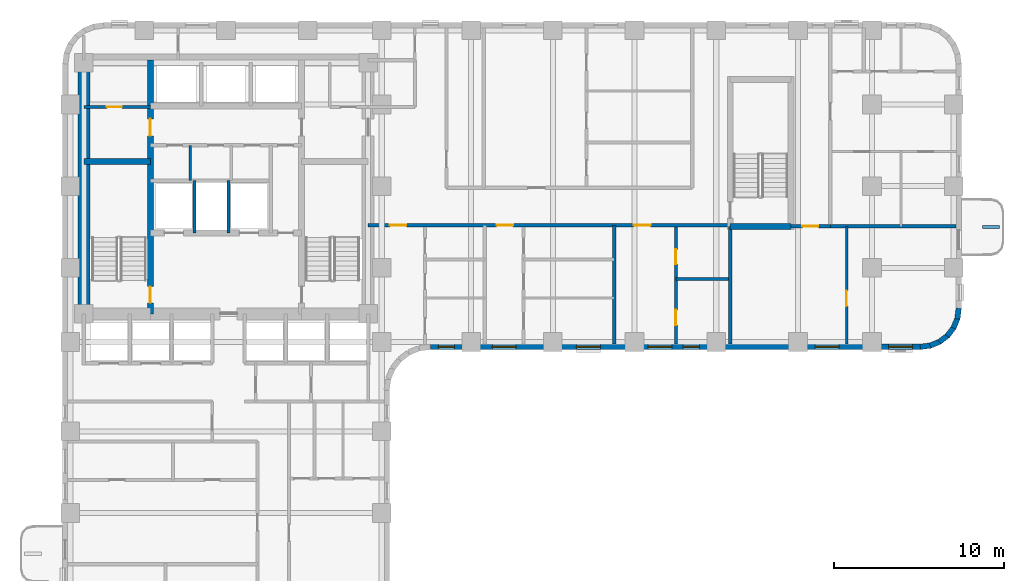
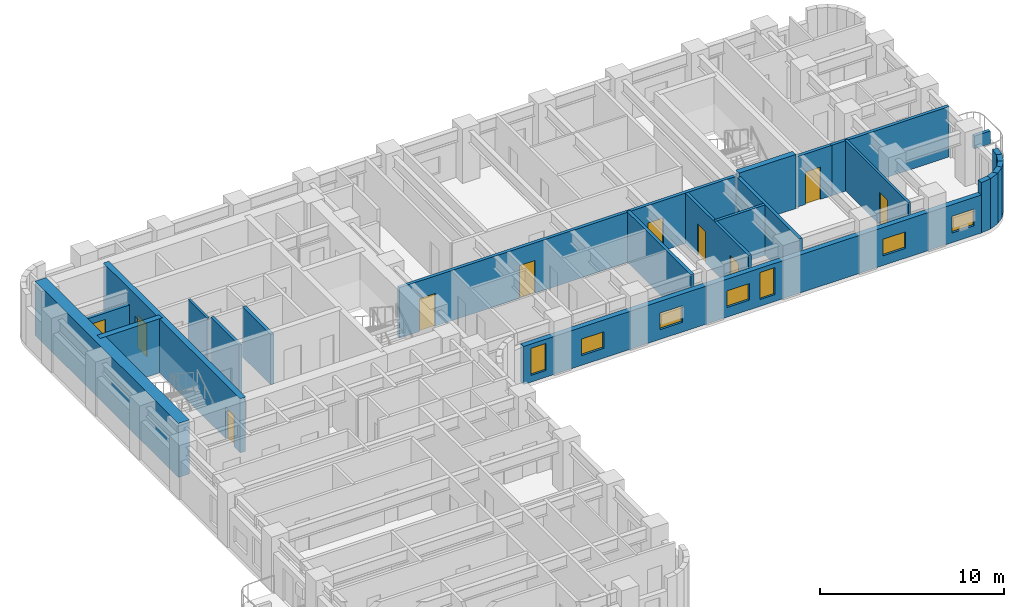
# One storey, part 5 of 11: 24 walls, 10 doors, 7 windows, 17 openings.
"""IFC4 building model written with IfcOpenShell, lengths in metres."""

from ifc_helpers import new_model, si_unit, direction, frame, frame_2d, origin, place, context, subcontext, project, spatial, rectangle, extrude, material, layer, layer_set, type_object, element, fill, save


model = new_model("IFC4")

# Units and contexts
model_context = context("Model", 3, precision=1e-05, world=origin(), true_north=direction((0.0, 1.0)))
body_context = subcontext(model_context, "Body", "Model", "MODEL_VIEW")
ifc_project = project(units=[si_unit("LENGTHUNIT", "METRE"), si_unit("AREAUNIT", "SQUARE_METRE"), si_unit("VOLUMEUNIT", "CUBIC_METRE"), si_unit("PLANEANGLEUNIT", "RADIAN"), si_unit("MASSUNIT", "GRAM", prefix="KILO")], contexts=[model_context])

# Site, building, storey
site_placement = place(None, origin())
site = spatial("IfcSite", under=ifc_project, at=site_placement, CompositionType="ELEMENT")
building_placement = place(site_placement, origin())
building = spatial("IfcBuilding", under=site, at=building_placement, Name="Orvandelia Arch Residences", CompositionType="ELEMENT")
storey_placement = place(building_placement, frame((0.0, 0.0, 50.199951171875)))
storey = spatial("IfcBuildingStorey", under=building, at=storey_placement, Name="L12", CompositionType="ELEMENT", Elevation=50.199951171875)

# Wall, openings, doors
ifc_material_1 = material(Name="Concrete C50/60", Category="concrete")
ifc_layer_1 = layer(ifc_material_1, 0.35009765625, Name="Concrete C50/60", Category="concrete")
ifc_layer_set_1 = layer_set([ifc_layer_1], Name="Concrete C50/60")
wall_type_1 = type_object("IfcWallType", Name="WL-CORE-350", PredefinedType="SHEAR", material=ifc_layer_set_1)
wall_1_placement = place(storey_placement, frame((9.9599609375, 30.89990234375, 0.0), z_axis=(0.0, 0.0, 1.0), x_axis=(0.0, 1.0, 0.0)))
wall_1 = element("IfcWall", 1, at=wall_1_placement, inside=storey, type_object=wall_type_1, Name="Core Shear Wall L12-WEB1", PredefinedType="SHEAR", context=body_context, shape_type="SweptSolid", body=[
    extrude(rectangle(XDim=14.900146484375, YDim=0.35009765625, at=frame_2d((7.4501953125, 0.0))), origin(), (0.0, 0.0, 1.0), 3.60009765625),
])
opening_1_placement = place(wall_1_placement, frame((0.64990234375, 0.0, 0.0)))
opening_1 = element("IfcOpeningElement", 2, at=opening_1_placement, cuts=wall_1, Name="Opening D7", PredefinedType="OPENING", context=body_context, shape_type="SweptSolid", body=[
    extrude(rectangle(XDim=0.949951171875, YDim=2.10009765625, at=frame_2d((0.47509765625, 1.050048828125))), frame((0.0, 0.18505859375, 0.0), z_axis=(0.0, -1.0, 0.0), x_axis=(1.0, 0.0, 0.0)), (0.0, 0.0, 1.0), 0.3701171875),
])
opening_2_placement = place(wall_1_placement, frame((10.449951171875, 0.0, 0.0)))
opening_2 = element("IfcOpeningElement", 3, at=opening_2_placement, cuts=wall_1, Name="Opening D6", PredefinedType="OPENING", context=body_context, shape_type="SweptSolid", body=[
    extrude(rectangle(XDim=1.0, YDim=2.14990234375, at=frame_2d((0.5, 1.074951171875))), frame((0.0, 0.18505859375, 0.0), z_axis=(0.0, -1.0, 0.0), x_axis=(1.0, 0.0, 0.0)), (0.0, 0.0, 1.0), 0.3701171875),
])
ifc_material_2 = material(Name="Smokeproof Painted Steel Fire Door", Category="steel")
door_type_1 = type_object("IfcDoorType", Name="DR-FD60-1000", OperationType="NOTDEFINED", PredefinedType="DOOR", material=ifc_material_2)
door_1_placement = place(opening_2_placement, origin())
door_1 = element("IfcDoor", 4, at=door_1_placement, inside=storey, type_object=door_type_1, Name="High-Rise Lift Hall West Vestibule Door L12", OperationType="SINGLE_SWING_LEFT", OverallHeight=2.14990234375, OverallWidth=1.0, PredefinedType="DOOR", context=body_context, shape_type="SweptSolid", body=[
    extrude(rectangle(XDim=1.0, YDim=2.14990234375, at=frame_2d((0.5, 1.074951171875))), frame((0.0, 0.02490234375, 0.0), z_axis=(0.0, -1.0, 0.0), x_axis=(1.0, 0.0, 0.0)), (0.0, 0.0, 1.0), 0.050048828125),
])
fill(opening_2, door_1)
ifc_material_3 = material(Name="Pressurised Stairwell Fire Door")
door_type_2 = type_object("IfcDoorType", Name="DR-STAIR-950", OperationType="NOTDEFINED", PredefinedType="DOOR", material=ifc_material_3)
door_2_placement = place(opening_1_placement, origin())
door_2 = element("IfcDoor", 5, at=door_2_placement, inside=storey, type_object=door_type_2, Name="Stairwell ST-1 Fire Door L12", OperationType="SINGLE_SWING_LEFT", OverallHeight=2.10009765625, OverallWidth=0.949951171875, PredefinedType="DOOR", context=body_context, shape_type="SweptSolid", body=[
    extrude(rectangle(XDim=0.949951171875, YDim=2.10009765625, at=frame_2d((0.47509765625, 1.050048828125))), frame((0.0, 0.02490234375, 0.0), z_axis=(0.0, -1.0, 0.0), x_axis=(1.0, 0.0, 0.0)), (0.0, 0.0, 1.0), 0.050048828125),
])
fill(opening_1, door_2)

# Walls
wall_2_placement = place(storey_placement, frame((6.050048828125, 39.85009765625, 0.0), z_axis=(0.0, 0.0, 1.0), x_axis=(1.0, 0.0, 0.0)))
element("IfcWall", 6, at=wall_2_placement, inside=storey, type_object=wall_type_1, Name="Core Shear Wall L12-HZ1", PredefinedType="SHEAR", context=body_context, shape_type="SweptSolid", body=[
    extrude(rectangle(XDim=3.909912109375, YDim=0.35009765625, at=frame_2d((1.955078125, 0.0))), origin(), (0.0, 0.0, 1.0), 3.60009765625),
])
wall_3_placement = place(storey_placement, frame((44.02001953125, 36.0400390625, 0.0), z_axis=(0.0, 0.0, 1.0), x_axis=(1.0, 0.0, 0.0)))
element("IfcWall", 7, at=wall_3_placement, inside=storey, type_object=wall_type_1, Name="East Stair Core Shear Wall L12-S", PredefinedType="SHEAR", context=body_context, shape_type="SweptSolid", body=[
    extrude(rectangle(XDim=3.580078125, YDim=0.35009765625, at=frame_2d((1.7900390625, 0.0))), origin(), (0.0, 0.0, 1.0), 3.60009765625),
])
ifc_material_4 = material(Name="Concrete C80/95", Category="concrete")
ifc_layer_2 = layer(ifc_material_4, 0.699951171875, Name="Concrete C80/95", Category="concrete")
ifc_layer_set_2 = layer_set([ifc_layer_2], Name="Concrete C80/95")
wall_type_2 = type_object("IfcWallType", Name="WL-CORE-700", PredefinedType="SHEAR", material=ifc_layer_set_2)
wall_4_placement = place(storey_placement, frame((6.050048828125, 30.550048828125, 0.0), z_axis=(0.0, 0.0, 1.0), x_axis=(0.0, 1.0, 0.0)))
element("IfcWall", 8, at=wall_4_placement, inside=storey, type_object=wall_type_2, Name="Core Shear Wall L12-W", PredefinedType="SHEAR", context=body_context, shape_type="SweptSolid", body=[
    extrude(rectangle(XDim=15.599853515625, YDim=0.699951171875, at=frame_2d((7.7998046875, 0.0))), origin(), (0.0, 0.0, 1.0), 3.60009765625),
])

# Wall, openings, doors
ifc_material_5 = material(Name="Fire-Rated Corridor Partition")
ifc_layer_3 = layer(ifc_material_5, 0.199951171875, Name="Fire-Rated Corridor Partition")
ifc_layer_set_3 = layer_set([ifc_layer_3], Name="Fire-Rated Corridor Partition")
wall_type_3 = type_object("IfcWallType", Name="WL-CORR-200", PredefinedType="PARTITIONING", material=ifc_layer_set_3)
wall_5_placement = place(storey_placement, frame((22.75, 36.10009765625, 0.0), z_axis=(0.0, 0.0, 1.0), x_axis=(1.0, 0.0, 0.0)))
wall_5 = element("IfcWall", 9, at=wall_5_placement, inside=storey, type_object=wall_type_3, Name="Interior Partition Wall WL-L12-EM-S1", PredefinedType="PARTITIONING", context=body_context, shape_type="SweptSolid", body=[
    extrude(rectangle(XDim=21.27001953125, YDim=0.199951171875, at=frame_2d((10.635009765625, 0.0))), origin(), (0.0, 0.0, 1.0), 3.35009765625),
])
opening_3_placement = place(wall_5_placement, frame((1.271484375, 0.0, 0.0)))
opening_3 = element("IfcOpeningElement", 10, at=opening_3_placement, cuts=wall_5, Name="Opening D1", PredefinedType="OPENING", context=body_context, shape_type="SweptSolid", body=[
    extrude(rectangle(XDim=0.97998046875, YDim=2.179931640625, at=frame_2d((0.489990234375, 1.08984375))), frame((0.0, 0.10986328125, 0.0), z_axis=(0.0, -1.0, 0.0), x_axis=(1.0, 0.0, 0.0)), (0.0, 0.0, 1.0), 0.219970703125),
])
opening_4_placement = place(wall_5_placement, frame((7.5400390625, 0.0, 0.0)))
opening_4 = element("IfcOpeningElement", 11, at=opening_4_placement, cuts=wall_5, Name="Opening D1", PredefinedType="OPENING", context=body_context, shape_type="SweptSolid", body=[
    extrude(rectangle(XDim=0.97998046875, YDim=2.179931640625, at=frame_2d((0.489990234375, 1.08984375))), frame((0.0, 0.10986328125, 0.0), z_axis=(0.0, -1.0, 0.0), x_axis=(1.0, 0.0, 0.0)), (0.0, 0.0, 1.0), 0.219970703125),
])
opening_5_placement = place(wall_5_placement, frame((15.614501953125, 0.0, 0.0)))
opening_5 = element("IfcOpeningElement", 12, at=opening_5_placement, cuts=wall_5, Name="Opening D1", PredefinedType="OPENING", context=body_context, shape_type="SweptSolid", body=[
    extrude(rectangle(XDim=0.97998046875, YDim=2.179931640625, at=frame_2d((0.489990234375, 1.08984375))), frame((0.0, 0.10986328125, 0.0), z_axis=(0.0, -1.0, 0.0), x_axis=(1.0, 0.0, 0.0)), (0.0, 0.0, 1.0), 0.219970703125),
])
ifc_material_6 = material(Name="Solid-Core Timber Acoustic Fire Door", Category="wood")
door_type_3 = type_object("IfcDoorType", Name="DR-ENT-980", OperationType="NOTDEFINED", PredefinedType="DOOR", material=ifc_material_6)
door_3_placement = place(opening_3_placement, origin())
door_3 = element("IfcDoor", 13, at=door_3_placement, inside=storey, type_object=door_type_3, Name="Unit L12-06 Entrance Door", OperationType="SINGLE_SWING_RIGHT", OverallHeight=2.179931640625, OverallWidth=0.97998046875, PredefinedType="DOOR", context=body_context, shape_type="SweptSolid", body=[
    extrude(rectangle(XDim=0.97998046875, YDim=2.179931640625, at=frame_2d((0.489990234375, 1.08984375))), frame((0.0, 0.02490234375, 0.0), z_axis=(0.0, -1.0, 0.0), x_axis=(1.0, 0.0, 0.0)), (0.0, 0.0, 1.0), 0.050048828125),
])
fill(opening_3, door_3)
door_4_placement = place(opening_4_placement, origin())
door_4 = element("IfcDoor", 14, at=door_4_placement, inside=storey, type_object=door_type_3, Name="Unit L12-07 Entrance Door", OperationType="SINGLE_SWING_LEFT", OverallHeight=2.179931640625, OverallWidth=0.97998046875, PredefinedType="DOOR", context=body_context, shape_type="SweptSolid", body=[
    extrude(rectangle(XDim=0.97998046875, YDim=2.179931640625, at=frame_2d((0.489990234375, 1.08984375))), frame((0.0, 0.02490234375, 0.0), z_axis=(0.0, -1.0, 0.0), x_axis=(1.0, 0.0, 0.0)), (0.0, 0.0, 1.0), 0.050048828125),
])
fill(opening_4, door_4)
door_5_placement = place(opening_5_placement, origin())
door_5 = element("IfcDoor", 15, at=door_5_placement, inside=storey, type_object=door_type_3, Name="Unit L12-08 Entrance Door", OperationType="SINGLE_SWING_RIGHT", OverallHeight=2.179931640625, OverallWidth=0.97998046875, PredefinedType="DOOR", context=body_context, shape_type="SweptSolid", body=[
    extrude(rectangle(XDim=0.97998046875, YDim=2.179931640625, at=frame_2d((0.489990234375, 1.08984375))), frame((0.0, 0.02490234375, 0.0), z_axis=(0.0, -1.0, 0.0), x_axis=(1.0, 0.0, 0.0)), (0.0, 0.0, 1.0), 0.050048828125),
])
fill(opening_5, door_5)

# Wall, opening, door
wall_6_placement = place(storey_placement, frame((47.60009765625, 36.0400390625, 0.0), z_axis=(0.0, 0.0, 1.0), x_axis=(1.0, 0.0, 0.0)))
wall_6 = element("IfcWall", 16, at=wall_6_placement, inside=storey, type_object=wall_type_3, Name="Interior Partition Wall WL-L12-ETE-S", PredefinedType="PARTITIONING", context=body_context, shape_type="SweptSolid", body=[
    extrude(rectangle(XDim=2.2998046875, YDim=0.199951171875, at=frame_2d((1.14990234375, 0.0))), origin(), (0.0, 0.0, 1.0), 3.35009765625),
])
opening_6_placement = place(wall_6_placement, frame((0.64990234375, 0.0, 0.0)))
opening_6 = element("IfcOpeningElement", 17, at=opening_6_placement, cuts=wall_6, Name="Opening D2", PredefinedType="OPENING", context=body_context, shape_type="SweptSolid", body=[
    extrude(rectangle(XDim=0.949951171875, YDim=2.14990234375, at=frame_2d((0.47509765625, 1.074951171875))), frame((0.0, 0.10986328125, 0.0), z_axis=(0.0, -1.0, 0.0), x_axis=(1.0, 0.0, 0.0)), (0.0, 0.0, 1.0), 0.219970703125),
])
ifc_material_7 = material(Name="Solid-Core Timber Interior Fire Door", Category="wood")
door_type_4 = type_object("IfcDoorType", Name="DR-APT-950", OperationType="NOTDEFINED", PredefinedType="DOOR", material=ifc_material_7)
door_6_placement = place(opening_6_placement, origin())
door_6 = element("IfcDoor", 18, at=door_6_placement, inside=storey, type_object=door_type_4, Name="DR-L12-EMS3", OperationType="SINGLE_SWING_LEFT", OverallHeight=2.14990234375, OverallWidth=0.949951171875, PredefinedType="DOOR", context=body_context, shape_type="SweptSolid", body=[
    extrude(rectangle(XDim=0.949951171875, YDim=2.14990234375, at=frame_2d((0.47509765625, 1.074951171875))), frame((0.0, 0.02490234375, 0.0), z_axis=(0.0, -1.0, 0.0), x_axis=(1.0, 0.0, 0.0)), (0.0, 0.0, 1.0), 0.050048828125),
])
fill(opening_6, door_6)

# Walls
ifc_material_8 = material(Name="Concrete C40/50", Category="concrete")
ifc_layer_4 = layer(ifc_material_8, 0.199951171875, Name="Concrete C40/50", Category="concrete")
ifc_layer_set_4 = layer_set([ifc_layer_4], Name="Concrete C40/50")
wall_type_4 = type_object("IfcWallType", Name="WL-DEM-200", PredefinedType="SOLIDWALL", material=ifc_layer_set_4)
wall_7_placement = place(storey_placement, frame((37.199951171875, 29.1201171875, 0.0), z_axis=(0.0, 0.0, 1.0), x_axis=(0.0, 1.0, 0.0)))
element("IfcWall", 19, at=wall_7_placement, inside=storey, type_object=wall_type_4, Name="Interior Partition Wall WL-L12-DEM-EMS-372", PredefinedType="SOLIDWALL", context=body_context, shape_type="SweptSolid", body=[
    extrude(rectangle(XDim=6.97998046875, YDim=0.199951171875, at=frame_2d((3.489990234375, 0.0))), origin(), (0.0, 0.0, 1.0), 3.35009765625),
])
wall_8_placement = place(storey_placement, frame((44.02001953125, 29.1201171875, 0.0), z_axis=(0.0, 0.0, 1.0), x_axis=(0.0, 1.0, 0.0)))
element("IfcWall", 20, at=wall_8_placement, inside=storey, type_object=wall_type_4, Name="Interior Partition Wall WL-L12-EMS3-W", PredefinedType="SOLIDWALL", context=body_context, shape_type="SweptSolid", body=[
    extrude(rectangle(XDim=6.919921875, YDim=0.199951171875, at=frame_2d((3.4599609375, 0.0))), origin(), (0.0, 0.0, 1.0), 3.35009765625),
])
wall_9_placement = place(storey_placement, frame((49.89990234375, 36.0400390625, 0.0), z_axis=(0.0, 0.0, 1.0), x_axis=(1.0, 0.0, 0.0)))
element("IfcWall", 21, at=wall_9_placement, inside=storey, type_object=wall_type_4, Name="Interior Partition Wall WL-L12-EMS3-N2", PredefinedType="SOLIDWALL", context=body_context, shape_type="SweptSolid", body=[
    extrude(rectangle(XDim=7.380126953125, YDim=0.199951171875, at=frame_2d((3.68994140625, 0.0))), origin(), (0.0, 0.0, 1.0), 3.35009765625),
])
ifc_material_9 = material(Name="Precast concrete C40/50", Category="concrete")
ifc_layer_5 = layer(ifc_material_9, 0.320068359375, Name="Precast concrete C40/50", Category="concrete")
ifc_layer_set_5 = layer_set([ifc_layer_5], Name="Precast concrete C40/50")
wall_type_5 = type_object("IfcWallType", Name="WL-EXT-STONE-320", PredefinedType="STANDARD", material=ifc_layer_set_5)
wall_10_placement = place(storey_placement, frame((57.44140625, 31.220947265625, 0.0), z_axis=(0.0, 0.0, 1.0), x_axis=(-0.130504898859, -0.991447664465, 0.0)))
element("IfcWall", 22, at=wall_10_placement, inside=storey, type_object=wall_type_5, Name="Coral-Limestone Precast Facade Wall L12-015", PredefinedType="STANDARD", context=body_context, shape_type="SweptSolid", body=[
    extrude(rectangle(XDim=0.626708984375, YDim=0.320068359375, at=frame_2d((0.3134765625, 0.0))), origin(), (0.0, 0.0, 1.0), 3.35009765625),
])
wall_11_placement = place(storey_placement, frame((57.370361328125, 30.639892578125, 0.0), z_axis=(0.0, 0.0, 1.0), x_axis=(-0.382787856107, -0.923836271867, 0.0)))
element("IfcWall", 23, at=wall_11_placement, inside=storey, type_object=wall_type_5, Name="Coral-Limestone Precast Facade Wall L12-016", PredefinedType="STANDARD", context=body_context, shape_type="SweptSolid", body=[
    extrude(rectangle(XDim=0.626220703125, YDim=0.320068359375, at=frame_2d((0.31298828125, 0.0))), origin(), (0.0, 0.0, 1.0), 3.35009765625),
])
wall_12_placement = place(storey_placement, frame((57.151611328125, 30.097412109375, 0.0), z_axis=(0.0, 0.0, 1.0), x_axis=(-0.608693302629, -0.793405610854, 0.0)))
element("IfcWall", 24, at=wall_12_placement, inside=storey, type_object=wall_type_5, Name="Coral-Limestone Precast Facade Wall L12-017", PredefinedType="STANDARD", context=body_context, shape_type="SweptSolid", body=[
    extrude(rectangle(XDim=0.62646484375, YDim=0.320068359375, at=frame_2d((0.313232421875, 0.0))), origin(), (0.0, 0.0, 1.0), 3.35009765625),
])
wall_13_placement = place(storey_placement, frame((56.7998046875, 29.6298828125, 0.0), z_axis=(0.0, 0.0, 1.0), x_axis=(-0.793361818833, -0.608750379399, 0.0)))
element("IfcWall", 25, at=wall_13_placement, inside=storey, type_object=wall_type_5, Name="Coral-Limestone Precast Facade Wall L12-018", PredefinedType="STANDARD", context=body_context, shape_type="SweptSolid", body=[
    extrude(rectangle(XDim=0.626953125, YDim=0.320068359375, at=frame_2d((0.3134765625, 0.0))), origin(), (0.0, 0.0, 1.0), 3.35009765625),
])
for number, where, z_axis, x_axis, name in (
    (26, (56.3388671875, 29.269287109375, 0.0), (0.0, 0.0, 1.0), (-0.92389335771, -0.382650053678, 0.0), "Coral-Limestone Precast Facade Wall L12-019"),
    (27, (55.80029296875, 29.040283203125, 0.0), (0.0, 0.0, 1.0), (-0.9914410257, -0.130555323746, 0.0), "Coral-Limestone Precast Facade Wall L12-020"),
):
    element("IfcWall", number, at=place(storey_placement, frame(where, z_axis=z_axis, x_axis=x_axis)), inside=storey, type_object=wall_type_5, Name=name, PredefinedType="STANDARD", context=body_context, shape_type="SweptSolid", body=[
        extrude(rectangle(XDim=0.62646484375, YDim=0.320068359375, at=frame_2d((0.313232421875, 0.0))), origin(), (0.0, 0.0, 1.0), 3.35009765625),
    ])

# Wall, openings, windows
wall_14_placement = place(storey_placement, frame((55.199951171875, 28.9599609375, 0.0), z_axis=(0.0, 0.0, 1.0), x_axis=(-1.0, 0.0, 0.0)))
wall_14 = element("IfcWall", 28, at=wall_14_placement, inside=storey, type_object=wall_type_5, Name="Coral-Limestone Precast Facade Wall L12-021", PredefinedType="STANDARD", context=body_context, shape_type="SweptSolid", body=[
    extrude(rectangle(XDim=28.800048828125, YDim=0.320068359375, at=frame_2d((14.39990234375, 0.0))), origin(), (0.0, 0.0, 1.0), 2.530029296875),
])
opening_7_placement = place(wall_14_placement, frame((27.3798828125, 0.0, 0.449951171875)))
opening_7 = element("IfcOpeningElement", 29, at=opening_7_placement, cuts=wall_14, Name="Opening W4", PredefinedType="OPENING", context=body_context, shape_type="SweptSolid", body=[
    extrude(rectangle(XDim=0.949951171875, YDim=1.800048828125, at=frame_2d((0.47509765625, 0.89990234375))), frame((0.0, 0.169921875, 0.0), z_axis=(0.0, -1.0, 0.0), x_axis=(1.0, 0.0, 0.0)), (0.0, 0.0, 1.0), 0.340087890625),
])
opening_8_placement = place(wall_14_placement, frame((18.81494140625, 0.0, 0.64990234375)))
opening_8 = element("IfcOpeningElement", 30, at=opening_8_placement, cuts=wall_14, Name="Opening W10", PredefinedType="OPENING", context=body_context, shape_type="SweptSolid", body=[
    extrude(rectangle(XDim=1.39990234375, YDim=1.10009765625, at=frame_2d((0.699951171875, 0.550048828125))), frame((0.0, 0.169921875, 0.0), z_axis=(0.0, -1.0, 0.0), x_axis=(1.0, 0.0, 0.0)), (0.0, 0.0, 1.0), 0.340087890625),
])
opening_9_placement = place(wall_14_placement, frame((14.60400390625, 0.0, 0.64990234375)))
opening_9 = element("IfcOpeningElement", 31, at=opening_9_placement, cuts=wall_14, Name="Opening W10", PredefinedType="OPENING", context=body_context, shape_type="SweptSolid", body=[
    extrude(rectangle(XDim=1.39990234375, YDim=1.10009765625, at=frame_2d((0.699951171875, 0.550048828125))), frame((0.0, 0.169921875, 0.0), z_axis=(0.0, -1.0, 0.0), x_axis=(1.0, 0.0, 0.0)), (0.0, 0.0, 1.0), 0.340087890625),
])
opening_10_placement = place(wall_14_placement, frame((4.7900390625, 0.0, 0.64990234375)))
opening_10 = element("IfcOpeningElement", 32, at=opening_10_placement, cuts=wall_14, Name="Opening W10", PredefinedType="OPENING", context=body_context, shape_type="SweptSolid", body=[
    extrude(rectangle(XDim=1.39990234375, YDim=1.10009765625, at=frame_2d((0.699951171875, 0.550048828125))), frame((0.0, 0.169921875, 0.0), z_axis=(0.0, -1.0, 0.0), x_axis=(1.0, 0.0, 0.0)), (0.0, 0.0, 1.0), 0.340087890625),
])
opening_11_placement = place(wall_14_placement, frame((0.469970703125, 0.0, 0.64990234375)))
opening_11 = element("IfcOpeningElement", 33, at=opening_11_placement, cuts=wall_14, Name="Opening W10", PredefinedType="OPENING", context=body_context, shape_type="SweptSolid", body=[
    extrude(rectangle(XDim=1.39990234375, YDim=1.10009765625, at=frame_2d((0.699951171875, 0.550048828125))), frame((0.0, 0.169921875, 0.0), z_axis=(0.0, -1.0, 0.0), x_axis=(1.0, 0.0, 0.0)), (0.0, 0.0, 1.0), 0.340087890625),
])
opening_12_placement = place(wall_14_placement, frame((23.760009765625, 0.0, 0.64990234375)))
opening_12 = element("IfcOpeningElement", 34, at=opening_12_placement, cuts=wall_14, Name="Opening W10", PredefinedType="OPENING", context=body_context, shape_type="SweptSolid", body=[
    extrude(rectangle(XDim=1.39990234375, YDim=1.10009765625, at=frame_2d((0.699951171875, 0.550048828125))), frame((0.0, 0.169921875, 0.0), z_axis=(0.0, -1.0, 0.0), x_axis=(1.0, 0.0, 0.0)), (0.0, 0.0, 1.0), 0.340087890625),
])
opening_13_placement = place(wall_14_placement, frame((12.9990234375, 0.0, 0.449951171875)))
opening_13 = element("IfcOpeningElement", 35, at=opening_13_placement, cuts=wall_14, Name="Opening W4", PredefinedType="OPENING", context=body_context, shape_type="SweptSolid", body=[
    extrude(rectangle(XDim=0.949951171875, YDim=1.800048828125, at=frame_2d((0.47509765625, 0.89990234375))), frame((0.0, 0.169921875, 0.0), z_axis=(0.0, -1.0, 0.0), x_axis=(1.0, 0.0, 0.0)), (0.0, 0.0, 1.0), 0.340087890625),
])
ifc_material_10 = material(Name="Tempered Low-E Insulated Glazing", Category="glass")
window_type_1 = type_object("IfcWindowType", Name="WIN-CLR-1400x1100", PartitioningType="SINGLE_PANEL", PredefinedType="WINDOW", material=ifc_material_10)
window_1_placement = place(opening_8_placement, origin())
window_1 = element("IfcWindow", 36, at=window_1_placement, inside=storey, type_object=window_type_1, Name="Recessed Punched Window L12-015", OverallHeight=1.10009765625, OverallWidth=1.39990234375, PartitioningType="SINGLE_PANEL", PredefinedType="WINDOW", context=body_context, shape_type="SweptSolid", body=[
    extrude(rectangle(XDim=1.39990234375, YDim=1.10009765625, at=frame_2d((0.699951171875, 0.550048828125))), frame((0.0, 0.030029296875, 0.0), z_axis=(0.0, -1.0, 0.0), x_axis=(1.0, 0.0, 0.0)), (0.0, 0.0, 1.0), 0.06005859375),
])
fill(opening_8, window_1)
window_2_placement = place(opening_9_placement, origin())
window_2 = element("IfcWindow", 37, at=window_2_placement, inside=storey, type_object=window_type_1, Name="Recessed Punched Window L12-016", OverallHeight=1.10009765625, OverallWidth=1.39990234375, PartitioningType="SINGLE_PANEL", PredefinedType="WINDOW", context=body_context, shape_type="SweptSolid", body=[
    extrude(rectangle(XDim=1.39990234375, YDim=1.10009765625, at=frame_2d((0.699951171875, 0.550048828125))), frame((0.0, 0.030029296875, 0.0), z_axis=(0.0, -1.0, 0.0), x_axis=(1.0, 0.0, 0.0)), (0.0, 0.0, 1.0), 0.06005859375),
])
fill(opening_9, window_2)
window_3_placement = place(opening_10_placement, origin())
window_3 = element("IfcWindow", 38, at=window_3_placement, inside=storey, type_object=window_type_1, Name="Recessed Punched Window L12-017", OverallHeight=1.10009765625, OverallWidth=1.39990234375, PartitioningType="SINGLE_PANEL", PredefinedType="WINDOW", context=body_context, shape_type="SweptSolid", body=[
    extrude(rectangle(XDim=1.39990234375, YDim=1.10009765625, at=frame_2d((0.699951171875, 0.550048828125))), frame((0.0, 0.030029296875, 0.0), z_axis=(0.0, -1.0, 0.0), x_axis=(1.0, 0.0, 0.0)), (0.0, 0.0, 1.0), 0.06005859375),
])
fill(opening_10, window_3)
window_4_placement = place(opening_11_placement, origin())
window_4 = element("IfcWindow", 39, at=window_4_placement, inside=storey, type_object=window_type_1, Name="Recessed Punched Window L12-018", OverallHeight=1.10009765625, OverallWidth=1.39990234375, PartitioningType="SINGLE_PANEL", PredefinedType="WINDOW", context=body_context, shape_type="SweptSolid", body=[
    extrude(rectangle(XDim=1.39990234375, YDim=1.10009765625, at=frame_2d((0.699951171875, 0.550048828125))), frame((0.0, 0.030029296875, 0.0), z_axis=(0.0, -1.0, 0.0), x_axis=(1.0, 0.0, 0.0)), (0.0, 0.0, 1.0), 0.06005859375),
])
fill(opening_11, window_4)
window_5_placement = place(opening_12_placement, origin())
window_5 = element("IfcWindow", 40, at=window_5_placement, inside=storey, type_object=window_type_1, Name="Recessed Punched Window L12-019", OverallHeight=1.10009765625, OverallWidth=1.39990234375, PartitioningType="SINGLE_PANEL", PredefinedType="WINDOW", context=body_context, shape_type="SweptSolid", body=[
    extrude(rectangle(XDim=1.39990234375, YDim=1.10009765625, at=frame_2d((0.699951171875, 0.550048828125))), frame((0.0, 0.030029296875, 0.0), z_axis=(0.0, -1.0, 0.0), x_axis=(1.0, 0.0, 0.0)), (0.0, 0.0, 1.0), 0.06005859375),
])
fill(opening_12, window_5)
window_type_2 = type_object("IfcWindowType", Name="WIN-RES-0950x1800", PartitioningType="SINGLE_PANEL", PredefinedType="WINDOW", material=ifc_material_10)
window_6_placement = place(opening_7_placement, origin())
window_6 = element("IfcWindow", 41, at=window_6_placement, inside=storey, type_object=window_type_2, Name="Recessed Punched Window L12-014", OverallHeight=1.800048828125, OverallWidth=0.949951171875, PartitioningType="SINGLE_PANEL", PredefinedType="WINDOW", context=body_context, shape_type="SweptSolid", body=[
    extrude(rectangle(XDim=0.949951171875, YDim=1.800048828125, at=frame_2d((0.47509765625, 0.89990234375))), frame((0.0, 0.030029296875, 0.0), z_axis=(0.0, -1.0, 0.0), x_axis=(1.0, 0.0, 0.0)), (0.0, 0.0, 1.0), 0.06005859375),
])
fill(opening_7, window_6)
window_7_placement = place(opening_13_placement, origin())
window_7 = element("IfcWindow", 42, at=window_7_placement, inside=storey, type_object=window_type_2, Name="Recessed Punched Window L12-020", OverallHeight=1.800048828125, OverallWidth=0.949951171875, PartitioningType="SINGLE_PANEL", PredefinedType="WINDOW", context=body_context, shape_type="SweptSolid", body=[
    extrude(rectangle(XDim=0.949951171875, YDim=1.800048828125, at=frame_2d((0.47509765625, 0.89990234375))), frame((0.0, 0.030029296875, 0.0), z_axis=(0.0, -1.0, 0.0), x_axis=(1.0, 0.0, 0.0)), (0.0, 0.0, 1.0), 0.06005859375),
])
fill(opening_13, window_7)

# Wall
ifc_material_11 = material(Name="Acoustic Gypsum Stud Partition")
ifc_layer_6 = layer(ifc_material_11, 0.14990234375, Name="Acoustic Gypsum Stud Partition")
ifc_layer_set_6 = layer_set([ifc_layer_6], Name="Acoustic Gypsum Stud Partition")
wall_type_6 = type_object("IfcWallType", Name="WL-PART-150", PredefinedType="PARTITIONING", material=ifc_layer_set_6)
wall_15_placement = place(storey_placement, frame((12.300048828125, 38.719970703125, 0.0), z_axis=(0.0, 0.0, 1.0), x_axis=(0.0, 1.0, 0.0)))
element("IfcWall", 43, at=wall_15_placement, inside=storey, type_object=wall_type_6, Name="Interior Partition Wall WL-L12-CSA-1", PredefinedType="PARTITIONING", context=body_context, shape_type="SweptSolid", body=[
    extrude(rectangle(XDim=2.080078125, YDim=0.14990234375, at=frame_2d((1.0400390625, 0.0))), origin(), (0.0, 0.0, 1.0), 3.35009765625),
])

# Wall, opening, door
wall_16_placement = place(storey_placement, frame((50.85009765625, 29.1201171875, 0.0), z_axis=(0.0, 0.0, 1.0), x_axis=(0.0, 1.0, 0.0)))
wall_16 = element("IfcWall", 44, at=wall_16_placement, inside=storey, type_object=wall_type_6, Name="Interior Partition Wall WL-L12-EMS3-M", PredefinedType="PARTITIONING", context=body_context, shape_type="SweptSolid", body=[
    extrude(rectangle(XDim=6.919921875, YDim=0.14990234375, at=frame_2d((3.4599609375, 0.0))), origin(), (0.0, 0.0, 1.0), 3.35009765625),
])
opening_14_placement = place(wall_16_placement, frame((2.239990234375, 0.0, 0.0)))
opening_14 = element("IfcOpeningElement", 45, at=opening_14_placement, cuts=wall_16, Name="Opening D3", PredefinedType="OPENING", context=body_context, shape_type="SweptSolid", body=[
    extrude(rectangle(XDim=0.89990234375, YDim=2.14990234375, at=frame_2d((0.449951171875, 1.074951171875))), frame((0.0, 0.0849609375, 0.0), z_axis=(0.0, -1.0, 0.0), x_axis=(1.0, 0.0, 0.0)), (0.0, 0.0, 1.0), 0.169921875),
])
ifc_material_12 = material(Name="Engineered Timber Flush Door", Category="wood")
door_type_5 = type_object("IfcDoorType", Name="DR-INT-900", OperationType="NOTDEFINED", PredefinedType="DOOR", material=ifc_material_12)
door_7_placement = place(opening_14_placement, origin())
door_7 = element("IfcDoor", 46, at=door_7_placement, inside=storey, type_object=door_type_5, Name="DR-L12-EMS3M", OperationType="SINGLE_SWING_RIGHT", OverallHeight=2.14990234375, OverallWidth=0.89990234375, PredefinedType="DOOR", context=body_context, shape_type="SweptSolid", body=[
    extrude(rectangle(XDim=0.89990234375, YDim=2.14990234375, at=frame_2d((0.449951171875, 1.074951171875))), frame((0.0, 0.02490234375, 0.0), z_axis=(0.0, -1.0, 0.0), x_axis=(1.0, 0.0, 0.0)), (0.0, 0.0, 1.0), 0.050048828125),
])
fill(opening_14, door_7)

# Walls
ifc_layer_7 = layer(ifc_material_9, 0.199951171875, Name="Precast concrete C40/50", Category="concrete")
ifc_layer_set_7 = layer_set([ifc_layer_7], Name="Precast concrete C40/50")
wall_type_7 = type_object("IfcWallType", Name="WL-PLANTER-200", PredefinedType="MOVABLE", material=ifc_layer_set_7)
wall_17_placement = place(storey_placement, frame((58.85009765625, 36.0, 0.0), z_axis=(0.0, 0.0, 1.0), x_axis=(1.0, 0.0, 0.0)))
element("IfcWall", 47, at=wall_17_placement, inside=storey, type_object=wall_type_7, Name="Balcony Precast Tree Planter BAL-L12-E1", PredefinedType="MOVABLE", context=body_context, shape_type="SweptSolid", body=[
    extrude(rectangle(XDim=1.0, YDim=0.199951171875, at=frame_2d((0.5, 0.0))), origin(), (0.0, 0.0, 1.0), 0.85009765625),
])
ifc_material_13 = material(Name="Fire-Rated Shaft Enclosure Wall")
ifc_layer_8 = layer(ifc_material_13, 0.199951171875, Name="Fire-Rated Shaft Enclosure Wall")
ifc_layer_set_8 = layer_set([ifc_layer_8], Name="Fire-Rated Shaft Enclosure Wall")
wall_type_8 = type_object("IfcWallType", Name="WL-SHAFT-200", PredefinedType="POLYGONAL", material=ifc_layer_set_8)
for number, where, z_axis, x_axis, name in (
    (48, (12.550048828125, 35.64990234375, 0.0), (0.0, 0.0, 1.0), (0.0, 1.0, 0.0), "Interior Partition Wall WL-L12-FLM1"),
    (49, (14.550048828125, 35.64990234375, 0.0), (0.0, 0.0, 1.0), (0.0, 1.0, 0.0), "Interior Partition Wall WL-L12-FLM2"),
):
    element("IfcWall", number, at=place(storey_placement, frame(where, z_axis=z_axis, x_axis=x_axis)), inside=storey, type_object=wall_type_8, Name=name, PredefinedType="POLYGONAL", context=body_context, shape_type="SweptSolid", body=[
        extrude(rectangle(XDim=3.070068359375, YDim=0.199951171875, at=frame_2d((1.53515625, 0.0))), origin(), (0.0, 0.0, 1.0), 3.35009765625),
    ])

# Wall, opening, door
wall_18_placement = place(storey_placement, frame((6.050048828125, 43.050048828125, 0.0), z_axis=(0.0, 0.0, 1.0), x_axis=(1.0, 0.0, 0.0)))
wall_18 = element("IfcWall", 50, at=wall_18_placement, inside=storey, type_object=wall_type_8, Name="Interior Partition Wall WL-L12-HLW-N", PredefinedType="POLYGONAL", context=body_context, shape_type="SweptSolid", body=[
    extrude(rectangle(XDim=3.909912109375, YDim=0.199951171875, at=frame_2d((1.955078125, 0.0))), origin(), (0.0, 0.0, 1.0), 2.530029296875),
])
opening_15_placement = place(wall_18_placement, frame((1.35009765625, 0.0, 0.0)))
opening_15 = element("IfcOpeningElement", 51, at=opening_15_placement, cuts=wall_18, Name="Opening D5", PredefinedType="OPENING", context=body_context, shape_type="SweptSolid", body=[
    extrude(rectangle(XDim=0.8798828125, YDim=2.10009765625, at=frame_2d((0.43994140625, 1.050048828125))), frame((0.0, 0.10986328125, 0.0), z_axis=(0.0, -1.0, 0.0), x_axis=(1.0, 0.0, 0.0)), (0.0, 0.0, 1.0), 0.219970703125),
])
ifc_material_14 = material(Name="Painted Galvanised Steel Service Door", Category="steel")
door_type_6 = type_object("IfcDoorType", Name="DR-SRV-880", OperationType="NOTDEFINED", PredefinedType="DOOR", material=ifc_material_14)
door_8_placement = place(opening_15_placement, origin())
door_8 = element("IfcDoor", 52, at=door_8_placement, inside=storey, type_object=door_type_6, Name="Riser Service Door L12", OperationType="SINGLE_SWING_RIGHT", OverallHeight=2.10009765625, OverallWidth=0.8798828125, PredefinedType="DOOR", context=body_context, shape_type="SweptSolid", body=[
    extrude(rectangle(XDim=0.8798828125, YDim=2.10009765625, at=frame_2d((0.43994140625, 1.050048828125))), frame((0.0, 0.02490234375, 0.0), z_axis=(0.0, -1.0, 0.0), x_axis=(1.0, 0.0, 0.0)), (0.0, 0.0, 1.0), 0.050048828125),
])
fill(opening_15, door_8)

# Wall, openings, doors
ifc_material_15 = material(Name="Moisture-Resistant Plumbing Wall")
ifc_layer_9 = layer(ifc_material_15, 0.179931640625, Name="Moisture-Resistant Plumbing Wall")
ifc_layer_set_9 = layer_set([ifc_layer_9], Name="Moisture-Resistant Plumbing Wall")
wall_type_9 = type_object("IfcWallType", Name="WL-WET-180", PredefinedType="PLUMBINGWALL", material=ifc_layer_set_9)
wall_19_placement = place(storey_placement, frame((40.822021484375, 29.1201171875, 0.0), z_axis=(0.0, 0.0, 1.0), x_axis=(0.0, 1.0, 0.0)))
wall_19 = element("IfcWall", 53, at=wall_19_placement, inside=storey, type_object=wall_type_9, Name="Interior Partition Wall WL-L12-U08-VT", PredefinedType="PLUMBINGWALL", context=body_context, shape_type="SweptSolid", body=[
    extrude(rectangle(XDim=6.8798828125, YDim=0.179931640625, at=frame_2d((3.43994140625, 0.0))), origin(), (0.0, 0.0, 1.0), 3.35009765625),
])
opening_16_placement = place(wall_19_placement, frame((1.1162109375, 0.0, 0.0)))
opening_16 = element("IfcOpeningElement", 54, at=opening_16_placement, cuts=wall_19, Name="Opening D3", PredefinedType="OPENING", context=body_context, shape_type="SweptSolid", body=[
    extrude(rectangle(XDim=0.89990234375, YDim=2.14990234375, at=frame_2d((0.449951171875, 1.074951171875))), frame((0.0, 0.10009765625, 0.0), z_axis=(0.0, -1.0, 0.0), x_axis=(1.0, 0.0, 0.0)), (0.0, 0.0, 1.0), 0.199951171875),
])
opening_17_placement = place(wall_19_placement, frame((4.705322265625, 0.0, 0.0)))
opening_17 = element("IfcOpeningElement", 55, at=opening_17_placement, cuts=wall_19, Name="Opening D4", PredefinedType="OPENING", context=body_context, shape_type="SweptSolid", body=[
    extrude(rectangle(XDim=0.860107421875, YDim=2.10009765625, at=frame_2d((0.43017578125, 1.050048828125))), frame((0.0, 0.10009765625, 0.0), z_axis=(0.0, -1.0, 0.0), x_axis=(1.0, 0.0, 0.0)), (0.0, 0.0, 1.0), 0.199951171875),
])
door_9_placement = place(opening_16_placement, origin())
door_9 = element("IfcDoor", 56, at=door_9_placement, inside=storey, type_object=door_type_5, Name="DR-L12-U08-KIT", OperationType="SINGLE_SWING_RIGHT", OverallHeight=2.14990234375, OverallWidth=0.89990234375, PredefinedType="DOOR", context=body_context, shape_type="SweptSolid", body=[
    extrude(rectangle(XDim=0.89990234375, YDim=2.14990234375, at=frame_2d((0.449951171875, 1.074951171875))), frame((0.0, 0.02490234375, 0.0), z_axis=(0.0, -1.0, 0.0), x_axis=(1.0, 0.0, 0.0)), (0.0, 0.0, 1.0), 0.050048828125),
])
fill(opening_16, door_9)
ifc_material_16 = material(Name="Moisture-Sealed Timber Bathroom Door", Category="wood")
door_type_7 = type_object("IfcDoorType", Name="DR-WET-900", OperationType="NOTDEFINED", PredefinedType="DOOR", material=ifc_material_16)
door_10_placement = place(opening_17_placement, origin())
door_10 = element("IfcDoor", 57, at=door_10_placement, inside=storey, type_object=door_type_7, Name="DR-L12-U08-BTH", OperationType="SINGLE_SWING_LEFT", OverallHeight=2.10009765625, OverallWidth=0.860107421875, PredefinedType="DOOR", context=body_context, shape_type="SweptSolid", body=[
    extrude(rectangle(XDim=0.860107421875, YDim=2.10009765625, at=frame_2d((0.43017578125, 1.050048828125))), frame((0.0, 0.02490234375, 0.0), z_axis=(0.0, -1.0, 0.0), x_axis=(1.0, 0.0, 0.0)), (0.0, 0.0, 1.0), 0.050048828125),
])
fill(opening_17, door_10)

# Wall
wall_20_placement = place(storey_placement, frame((40.822021484375, 32.946044921875, 0.0), z_axis=(0.0, 0.0, 1.0), x_axis=(1.0, 0.0, 0.0)))
element("IfcWall", 58, at=wall_20_placement, inside=storey, type_object=wall_type_9, Name="Interior Partition Wall WL-L12-U08-H1", PredefinedType="PLUMBINGWALL", context=body_context, shape_type="SweptSolid", body=[
    extrude(rectangle(XDim=3.097900390625, YDim=0.179931640625, at=frame_2d((1.548828125, 0.0))), origin(), (0.0, 0.0, 1.0), 3.35009765625),
])

save(model, "model.ifc")
